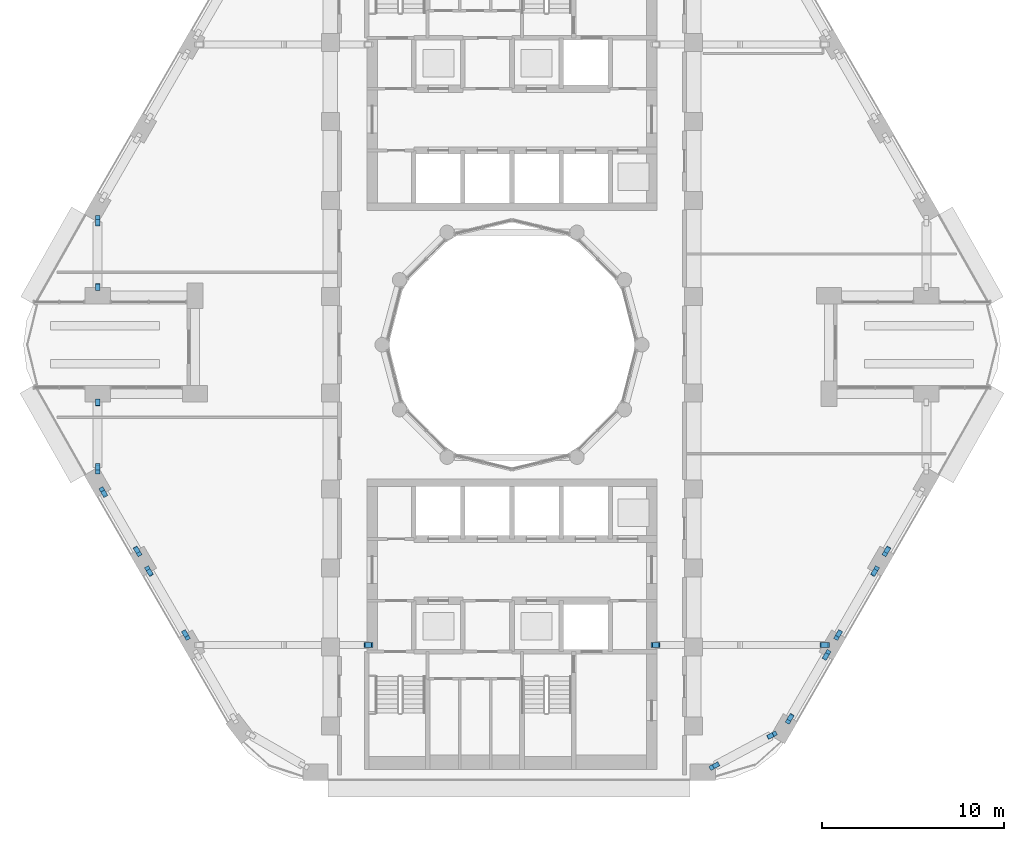
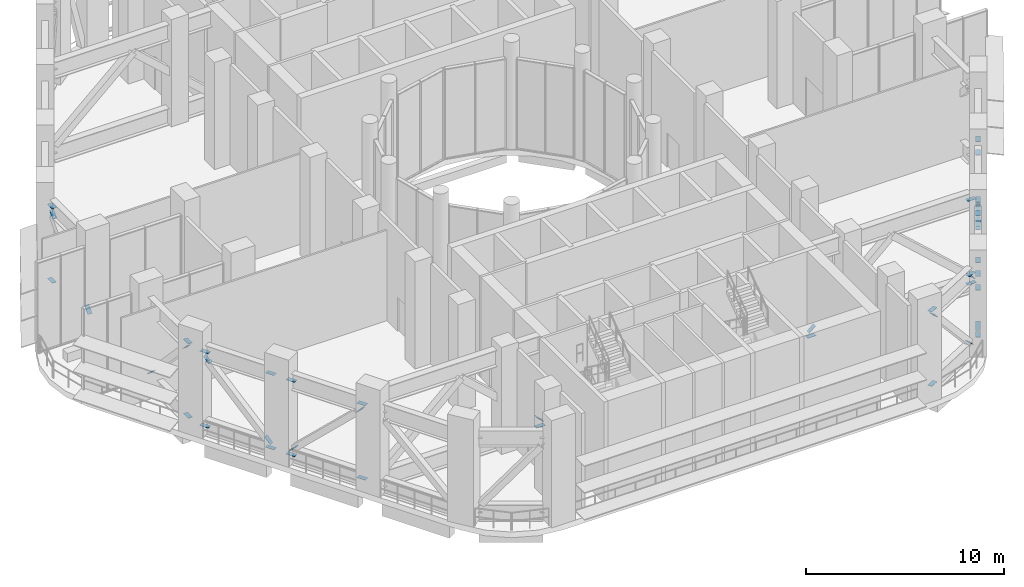
# One storey, part 13 of 21: 47 discrete accessories.
"""IFC4 building model written with IfcOpenShell, lengths in metres."""

from ifc_helpers import new_model, si_unit, direction, frame, origin, origin_2d, place, context, subcontext, project, spatial, rectangle, extrude, material, material_profile, profile_set, type_object, element, save


model = new_model("IFC4")

# Units and contexts
model_context = context("Model", 3, precision=1e-05, world=origin(), true_north=direction((0.0, 1.0)))
body_context = subcontext(model_context, "Body", "Model", "MODEL_VIEW")
ifc_project = project(units=[si_unit("LENGTHUNIT", "METRE"), si_unit("AREAUNIT", "SQUARE_METRE"), si_unit("VOLUMEUNIT", "CUBIC_METRE"), si_unit("PLANEANGLEUNIT", "RADIAN"), si_unit("MASSUNIT", "GRAM", prefix="KILO")], contexts=[model_context])

# Site, building, storey
site_placement = place(None, origin())
site = spatial("IfcSite", under=ifc_project, at=site_placement, CompositionType="ELEMENT")
building_placement = place(site_placement, origin())
building = spatial("IfcBuilding", under=site, at=building_placement, Name="Nakaniwa Court", CompositionType="ELEMENT")
storey_placement = place(building_placement, frame((0.0, 0.0, 120.60009765625)))
storey = spatial("IfcBuildingStorey", under=building, at=storey_placement, Name="S2", CompositionType="ELEMENT", Elevation=120.60009765625)

# Discrete accessories
ifc_material = material(Name="Steel Grade 350", Category="steel")
ifc_material_profile = material_profile(ifc_material, rectangle(XDim=0.25, YDim=0.02001953125, at=origin_2d()), Name="Truss end gusset plate 250x20")
ifc_profile_set = profile_set([ifc_material_profile], Name="Steel Grade 350")
discrete_accessory_type = type_object("IfcDiscreteAccessoryType", Name="Truss end gusset plate 250x20", PredefinedType="BRACKET", material=ifc_profile_set)
for number, where, z_axis, x_axis, name in (
    (1, (57.177001953125, 86.611328125, 0.5048828125), (0.0, 1.0, 0.0), (-1.0, 0.0, 0.0), "Gusset plate GU-226"),
    (2, (57.177001953125, 86.611328125, 5.0849609375), (0.0, 1.0, 0.0), (-1.0, 0.0, 0.0), "Gusset plate GU-227"),
    (3, (57.177001953125, 86.557861328125, 4.471435546875), (0.0, 0.690812402506, 0.723034041068), (-1.0, 0.0, 0.0), "Gusset plate GU-228"),
    (4, (57.177001953125, 83.353515625, 1.118408203125), (0.0, -0.690557049546, -0.723277928131), (1.0, 0.0, 0.0), "Gusset plate GU-229"),
    (5, (57.177001953125, 73.388671875, 0.5048828125), (0.0, -1.0, 0.0), (1.0, 0.0, 0.0), "Gusset plate GU-230"),
    (6, (57.177001953125, 73.388671875, 5.0849609375), (0.0, -1.0, 0.0), (1.0, 0.0, 0.0), "Gusset plate GU-231"),
    (7, (57.177001953125, 76.646484375, 1.118408203125), (0.0, 0.690557049546, -0.723277928131), (-1.0, 0.0, 0.0), "Gusset plate GU-232"),
    (8, (57.177001953125, 73.442138671875, 4.471435546875), (0.0, -0.690812402506, 0.723034041068), (1.0, 0.0, 0.0), "Gusset plate GU-233"),
    (9, (57.60205078125, 71.694091796875, 0.5048828125), (-0.499919672301, 0.866071776036, 0.0), (-0.866071776036, -0.499919672301, 0.0), "Gusset plate GU-234"),
):
    element("IfcDiscreteAccessory", number, at=place(storey_placement, frame(where, z_axis=z_axis, x_axis=x_axis)), inside=storey, type_object=discrete_accessory_type, Name=name, PredefinedType="BRACKET", context=body_context, shape_type="SweptSolid", body=[
        extrude(rectangle(XDim=0.25, YDim=0.02001953125, at=origin_2d()), origin(), (0.0, 0.0, 1.0), 0.5),
    ])
discrete_accessory_1_placement = place(storey_placement, frame((59.2666015625, 68.811279296875, 0.5048828125), z_axis=(0.500131122175, -0.865949687125, 0.0), x_axis=(0.865949687125, 0.500131122175, 0.0)))
element("IfcDiscreteAccessory", 10, at=discrete_accessory_1_placement, inside=storey, type_object=discrete_accessory_type, Name="Gusset plate GU-235", PredefinedType="BRACKET", context=body_context, shape_type="SweptSolid", body=[
    extrude(rectangle(XDim=0.25, YDim=0.02001953125, at=origin_2d()), origin(), (0.0, 0.0, 1.0), 0.499755859375),
])
discrete_accessory_2_placement = place(storey_placement, frame((57.60205078125, 71.694091796875, 5.0849609375), z_axis=(-0.499919672301, 0.866071776036, 0.0), x_axis=(-0.866071776036, -0.499919672301, 0.0)))
element("IfcDiscreteAccessory", 11, at=discrete_accessory_2_placement, inside=storey, type_object=discrete_accessory_type, Name="Gusset plate GU-236", PredefinedType="BRACKET", context=body_context, shape_type="SweptSolid", body=[
    extrude(rectangle(XDim=0.25, YDim=0.02001953125, at=origin_2d()), origin(), (0.0, 0.0, 1.0), 0.5),
])
discrete_accessory_3_placement = place(storey_placement, frame((59.2666015625, 68.811279296875, 5.0849609375), z_axis=(0.500131122175, -0.865949687125, 0.0), x_axis=(0.865949687125, 0.500131122175, 0.0)))
element("IfcDiscreteAccessory", 12, at=discrete_accessory_3_placement, inside=storey, type_object=discrete_accessory_type, Name="Gusset plate GU-237", PredefinedType="BRACKET", context=body_context, shape_type="SweptSolid", body=[
    extrude(rectangle(XDim=0.25, YDim=0.02001953125, at=origin_2d()), origin(), (0.0, 0.0, 1.0), 0.499755859375),
])
for number, where, z_axis, x_axis, name in (
    (13, (57.629150390625, 71.6474609375, 4.4716796875), (-0.346606726282, 0.599971361409, 0.721039626363), (-0.865892200154, -0.500230644515, 0.0), "Gusset plate GU-238"),
    (14, (59.239501953125, 68.858154296875, 1.1181640625), (0.346606726282, -0.599971361409, -0.721039626363), (0.865892200154, 0.500230644515, 0.0), "Gusset plate GU-239"),
    (15, (60.11669921875, 67.339111328125, 0.5048828125), (-0.499919672301, 0.866071776036, 0.0), (-0.866071776036, -0.499919672301, 0.0), "Gusset plate GU-240"),
):
    element("IfcDiscreteAccessory", number, at=place(storey_placement, frame(where, z_axis=z_axis, x_axis=x_axis)), inside=storey, type_object=discrete_accessory_type, Name=name, PredefinedType="BRACKET", context=body_context, shape_type="SweptSolid", body=[
        extrude(rectangle(XDim=0.25, YDim=0.02001953125, at=origin_2d()), origin(), (0.0, 0.0, 1.0), 0.5),
    ])
discrete_accessory_4_placement = place(storey_placement, frame((61.929443359375, 64.198974609375, 0.5048828125), z_axis=(0.500131122175, -0.865949687125, 0.0), x_axis=(0.865949687125, 0.500131122175, 0.0)))
element("IfcDiscreteAccessory", 16, at=discrete_accessory_4_placement, inside=storey, type_object=discrete_accessory_type, Name="Gusset plate GU-241", PredefinedType="BRACKET", context=body_context, shape_type="SweptSolid", body=[
    extrude(rectangle(XDim=0.25, YDim=0.02001953125, at=origin_2d()), origin(), (0.0, 0.0, 1.0), 0.499755859375),
])
discrete_accessory_5_placement = place(storey_placement, frame((60.11669921875, 67.339111328125, 5.0849609375), z_axis=(-0.499919672301, 0.866071776036, 0.0), x_axis=(-0.866071776036, -0.499919672301, 0.0)))
element("IfcDiscreteAccessory", 17, at=discrete_accessory_5_placement, inside=storey, type_object=discrete_accessory_type, Name="Gusset plate GU-242", PredefinedType="BRACKET", context=body_context, shape_type="SweptSolid", body=[
    extrude(rectangle(XDim=0.25, YDim=0.02001953125, at=origin_2d()), origin(), (0.0, 0.0, 1.0), 0.5),
])
discrete_accessory_6_placement = place(storey_placement, frame((61.929443359375, 64.198974609375, 5.0849609375), z_axis=(0.500131122175, -0.865949687125, 0.0), x_axis=(0.865949687125, 0.500131122175, 0.0)))
element("IfcDiscreteAccessory", 18, at=discrete_accessory_6_placement, inside=storey, type_object=discrete_accessory_type, Name="Gusset plate GU-243", PredefinedType="BRACKET", context=body_context, shape_type="SweptSolid", body=[
    extrude(rectangle(XDim=0.25, YDim=0.02001953125, at=origin_2d()), origin(), (0.0, 0.0, 1.0), 0.499755859375),
])
for number, where, z_axis, x_axis, name in (
    (19, (60.145751953125, 67.288818359375, 1.11376953125), (-0.361346001899, 0.625030922204, -0.691928763096), (-0.865734831114, -0.500502949238, 0.0), "Gusset plate GU-244"),
    (20, (61.900390625, 64.24951171875, 4.47607421875), (0.360811155859, -0.625438552984, 0.69183952348), (0.866196843121, 0.499702940723, 0.0), "Gusset plate GU-245"),
    (21, (91.33935546875, 56.896484375, 0.5048828125), (-0.881269393379, -0.472614278554, 0.0), (0.472614278554, -0.881269393379, 0.0), "Gusset plate GU-258"),
    (22, (91.33935546875, 56.896484375, 5.0849609375), (-0.881269393379, -0.472614278554, 0.0), (0.472614278554, -0.881269393379, 0.0), "Gusset plate GU-259"),
    (23, (94.12451171875, 58.390380859375, 5.0849609375), (0.881269393379, 0.472614278554, 0.0), (-0.472614278554, 0.881269393379, 0.0), "Gusset plate GU-260"),
):
    element("IfcDiscreteAccessory", number, at=place(storey_placement, frame(where, z_axis=z_axis, x_axis=x_axis)), inside=storey, type_object=discrete_accessory_type, Name=name, PredefinedType="BRACKET", context=body_context, shape_type="SweptSolid", body=[
        extrude(rectangle(XDim=0.25, YDim=0.02001953125, at=origin_2d()), origin(), (0.0, 0.0, 1.0), 0.5),
    ])
discrete_accessory_7_placement = place(storey_placement, frame((91.38427734375, 56.92041015625, 4.468994140625), z_axis=(-0.594070960043, -0.318757877492, 0.738561514006), x_axis=(0.472803992975, -0.881167625499, 0.0)))
element("IfcDiscreteAccessory", 24, at=discrete_accessory_7_placement, inside=storey, type_object=discrete_accessory_type, Name="Gusset plate GU-261", PredefinedType="BRACKET", context=body_context, shape_type="SweptSolid", body=[
    extrude(rectangle(XDim=0.25, YDim=0.02001953125, at=origin_2d()), origin(), (0.0, 0.0, 1.0), 0.500244140625),
])
for number, where, z_axis, x_axis, name in (
    (25, (94.07958984375, 58.3662109375, 1.12060546875), (0.594285182037, 0.318872821586, -0.738339519507), (-0.472803992975, 0.881167625499, 0.0), "Gusset plate GU-262"),
    (26, (95.407470703125, 59.586669921875, 0.5048828125), (-0.499919672301, -0.866071776036, 0.0), (0.866071776036, -0.499919672301, 0.0), "Gusset plate GU-263"),
    (27, (97.220458984375, 62.726806640625, 0.5048828125), (0.499919672301, 0.866071776036, 0.0), (-0.866071776036, 0.499919672301, 0.0), "Gusset plate GU-264"),
    (28, (95.407470703125, 59.586669921875, 5.0849609375), (-0.499919672301, -0.866071776036, 0.0), (0.866071776036, -0.499919672301, 0.0), "Gusset plate GU-265"),
    (29, (97.220458984375, 62.726806640625, 5.0849609375), (0.499919672301, 0.866071776036, 0.0), (-0.866071776036, 0.499919672301, 0.0), "Gusset plate GU-266"),
):
    element("IfcDiscreteAccessory", number, at=place(storey_placement, frame(where, z_axis=z_axis, x_axis=x_axis)), inside=storey, type_object=discrete_accessory_type, Name=name, PredefinedType="BRACKET", context=body_context, shape_type="SweptSolid", body=[
        extrude(rectangle(XDim=0.25, YDim=0.02001953125, at=origin_2d()), origin(), (0.0, 0.0, 1.0), 0.5),
    ])
discrete_accessory_8_placement = place(storey_placement, frame((95.436767578125, 59.63720703125, 1.11376953125), z_axis=(-0.361235724362, -0.625328328254, -0.691717596515), x_axis=(0.865904111586, -0.500210025428, 0.0)))
element("IfcDiscreteAccessory", 30, at=discrete_accessory_8_placement, inside=storey, type_object=discrete_accessory_type, Name="Gusset plate GU-267", PredefinedType="BRACKET", context=body_context, shape_type="SweptSolid", body=[
    extrude(rectangle(XDim=0.25, YDim=0.02001953125, at=origin_2d()), origin(), (0.0, 0.0, 1.0), 0.500244140625),
])
discrete_accessory_9_placement = place(storey_placement, frame((97.19140625, 62.67626953125, 4.47607421875), z_axis=(0.360811155859, 0.625438552984, 0.69183952348), x_axis=(-0.866196843121, 0.499702940723, 0.0)))
element("IfcDiscreteAccessory", 31, at=discrete_accessory_9_placement, inside=storey, type_object=discrete_accessory_type, Name="Gusset plate GU-268", PredefinedType="BRACKET", context=body_context, shape_type="SweptSolid", body=[
    extrude(rectangle(XDim=0.25, YDim=0.02001953125, at=origin_2d()), origin(), (0.0, 0.0, 1.0), 0.5),
])
discrete_accessory_10_placement = place(storey_placement, frame((98.070556640625, 64.198974609375, 0.5048828125), z_axis=(-0.500131122175, -0.865949687125, 0.0), x_axis=(0.865949687125, -0.500131122175, 0.0)))
element("IfcDiscreteAccessory", 32, at=discrete_accessory_10_placement, inside=storey, type_object=discrete_accessory_type, Name="Gusset plate GU-269", PredefinedType="BRACKET", context=body_context, shape_type="SweptSolid", body=[
    extrude(rectangle(XDim=0.25, YDim=0.02001953125, at=origin_2d()), origin(), (0.0, 0.0, 1.0), 0.499755859375),
])
discrete_accessory_11_placement = place(storey_placement, frame((99.88330078125, 67.339111328125, 0.5048828125), z_axis=(0.499919672301, 0.866071776036, 0.0), x_axis=(-0.866071776036, 0.499919672301, 0.0)))
element("IfcDiscreteAccessory", 33, at=discrete_accessory_11_placement, inside=storey, type_object=discrete_accessory_type, Name="Gusset plate GU-270", PredefinedType="BRACKET", context=body_context, shape_type="SweptSolid", body=[
    extrude(rectangle(XDim=0.25, YDim=0.02001953125, at=origin_2d()), origin(), (0.0, 0.0, 1.0), 0.5),
])
discrete_accessory_12_placement = place(storey_placement, frame((98.070556640625, 64.198974609375, 5.0849609375), z_axis=(-0.500131122175, -0.865949687125, 0.0), x_axis=(0.865949687125, -0.500131122175, 0.0)))
element("IfcDiscreteAccessory", 34, at=discrete_accessory_12_placement, inside=storey, type_object=discrete_accessory_type, Name="Gusset plate GU-271", PredefinedType="BRACKET", context=body_context, shape_type="SweptSolid", body=[
    extrude(rectangle(XDim=0.25, YDim=0.02001953125, at=origin_2d()), origin(), (0.0, 0.0, 1.0), 0.499755859375),
])
for number, where, z_axis, x_axis, name in (
    (35, (99.88330078125, 67.339111328125, 5.0849609375), (0.499919672301, 0.866071776036, 0.0), (-0.866071776036, 0.499919672301, 0.0), "Gusset plate GU-272"),
    (36, (98.099609375, 64.24951171875, 4.47607421875), (-0.360811155859, -0.625438552984, 0.69183952348), (0.866196843121, -0.499702940723, 0.0), "Gusset plate GU-273"),
    (37, (99.854248046875, 67.288818359375, 1.11376953125), (0.361346001899, 0.625030922204, -0.691928763096), (-0.865734831114, 0.500502949238, 0.0), "Gusset plate GU-274"),
):
    element("IfcDiscreteAccessory", number, at=place(storey_placement, frame(where, z_axis=z_axis, x_axis=x_axis)), inside=storey, type_object=discrete_accessory_type, Name=name, PredefinedType="BRACKET", context=body_context, shape_type="SweptSolid", body=[
        extrude(rectangle(XDim=0.25, YDim=0.02001953125, at=origin_2d()), origin(), (0.0, 0.0, 1.0), 0.5),
    ])
for number, where, z_axis, x_axis, name in (
    (38, (100.7333984375, 68.811279296875, 0.5048828125), (-0.500131122175, -0.865949687125, 0.0), (0.865949687125, -0.500131122175, 0.0), "Gusset plate GU-275"),
    (39, (100.7333984375, 68.811279296875, 5.0849609375), (-0.500131122175, -0.865949687125, 0.0), (0.865949687125, -0.500131122175, 0.0), "Gusset plate GU-277"),
):
    element("IfcDiscreteAccessory", number, at=place(storey_placement, frame(where, z_axis=z_axis, x_axis=x_axis)), inside=storey, type_object=discrete_accessory_type, Name=name, PredefinedType="BRACKET", context=body_context, shape_type="SweptSolid", body=[
        extrude(rectangle(XDim=0.25, YDim=0.02001953125, at=origin_2d()), origin(), (0.0, 0.0, 1.0), 0.499755859375),
    ])
for number, where, z_axis, x_axis, name in (
    (40, (100.760498046875, 68.858154296875, 1.1181640625), (-0.346606726282, -0.599971361409, -0.721039626363), (0.865892200154, -0.500230644515, 0.0), "Gusset plate GU-279"),
    (41, (88.14990234375, 63.462890625, 0.511962890625), (-1.0, 0.0, 0.0), (0.0, -1.0, 0.0), "Gusset plate GU-329"),
    (42, (96.975830078125, 63.462890625, 0.511962890625), (1.0, 0.0, 0.0), (0.0, 1.0, 0.0), "Gusset plate GU-330"),
    (43, (96.975830078125, 63.462890625, 5.677978515625), (1.0, 0.0, 0.0), (0.0, 1.0, 0.0), "Gusset plate GU-331"),
    (44, (88.111083984375, 63.462890625, 1.124755859375), (-0.740690781639, 0.0, -0.671846088026), (0.0, -1.0, 0.0), "Gusset plate GU-332"),
):
    element("IfcDiscreteAccessory", number, at=place(storey_placement, frame(where, z_axis=z_axis, x_axis=x_axis)), inside=storey, type_object=discrete_accessory_type, Name=name, PredefinedType="BRACKET", context=body_context, shape_type="SweptSolid", body=[
        extrude(rectangle(XDim=0.25, YDim=0.02001953125, at=origin_2d()), origin(), (0.0, 0.0, 1.0), 0.5),
    ])
discrete_accessory_13_placement = place(storey_placement, frame((97.014892578125, 63.462890625, 1.124755859375), z_axis=(0.740470272515, 0.0, -0.672089112784), x_axis=(0.0, 1.0, 0.0)))
element("IfcDiscreteAccessory", 45, at=discrete_accessory_13_placement, inside=storey, type_object=discrete_accessory_type, Name="Gusset plate GU-333", PredefinedType="BRACKET", context=body_context, shape_type="SweptSolid", body=[
    extrude(rectangle(XDim=0.25, YDim=0.02001953125, at=origin_2d()), origin(), (0.0, 0.0, 1.0), 0.499755859375),
])
for number, where, z_axis, x_axis, name in (
    (46, (71.85009765625, 63.462890625, 0.511962890625), (1.0, 0.0, 0.0), (0.0, 1.0, 0.0), "Gusset plate GU-334"),
    (47, (71.888916015625, 63.462890625, 1.124755859375), (0.740690781639, 0.0, -0.671846088026), (0.0, 1.0, 0.0), "Gusset plate GU-337"),
):
    element("IfcDiscreteAccessory", number, at=place(storey_placement, frame(where, z_axis=z_axis, x_axis=x_axis)), inside=storey, type_object=discrete_accessory_type, Name=name, PredefinedType="BRACKET", context=body_context, shape_type="SweptSolid", body=[
        extrude(rectangle(XDim=0.25, YDim=0.02001953125, at=origin_2d()), origin(), (0.0, 0.0, 1.0), 0.5),
    ])

save(model, "model.ifc")
